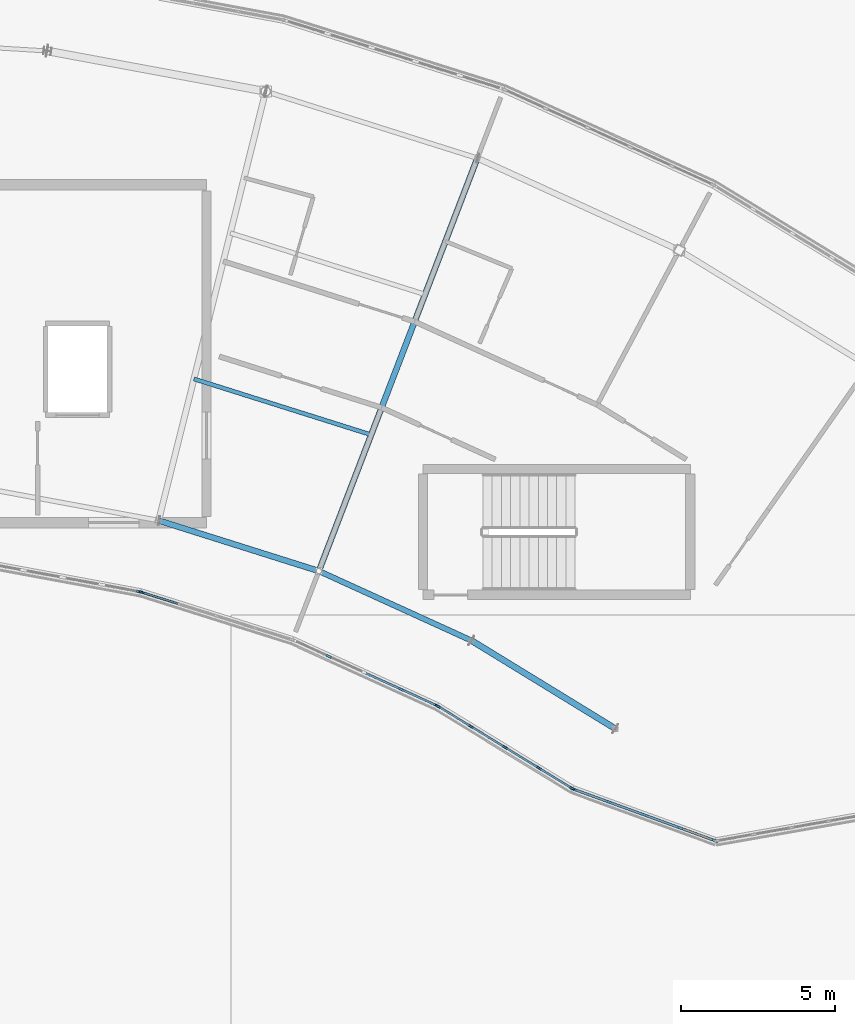
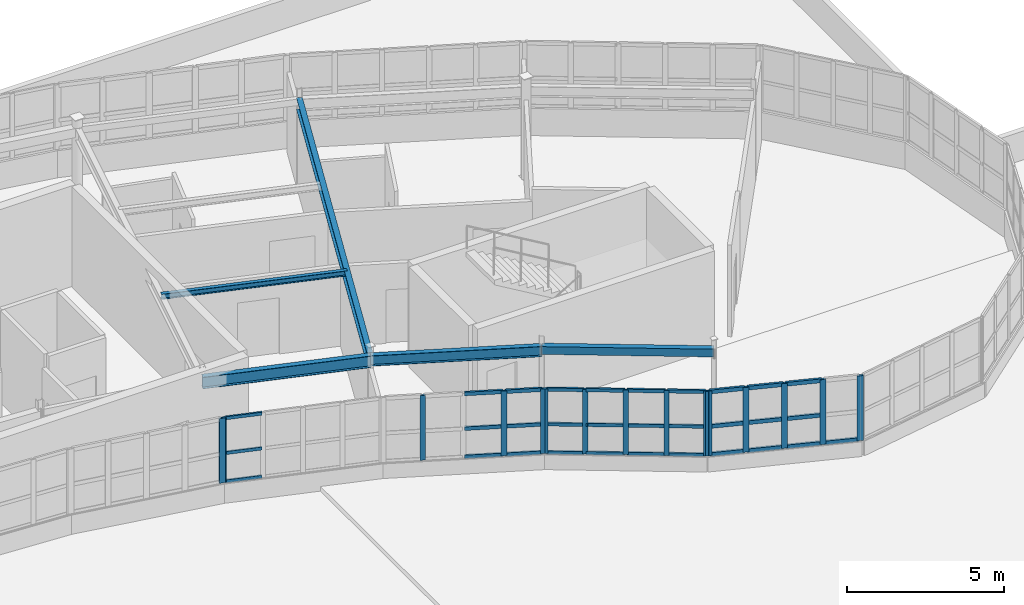
# One storey, part 48 of 128: 46 members, 5 beams, 5 elements without a shape of their own.
"""IFC4 building model written with IfcOpenShell, lengths in metres."""

from ifc_helpers import new_model, si_unit, direction, frame, origin, origin_2d, place, context, subcontext, project, spatial, rectangle, hollow_rectangle, i_section, extrude, material, layer, layer_set, material_profile, profile_set, type_object, element, aggregate, save


model = new_model("IFC4")

# Units and contexts
model_context = context("Model", 3, precision=1e-05, world=origin(), true_north=direction((0.0, 1.0)))
body_context = subcontext(model_context, "Body", "Model", "MODEL_VIEW")
ifc_project = project(units=[si_unit("LENGTHUNIT", "METRE"), si_unit("AREAUNIT", "SQUARE_METRE"), si_unit("VOLUMEUNIT", "CUBIC_METRE"), si_unit("PLANEANGLEUNIT", "RADIAN"), si_unit("MASSUNIT", "GRAM", prefix="KILO")], contexts=[model_context])

# Site, building, storey
site_placement = place(None, origin())
site = spatial("IfcSite", under=ifc_project, at=site_placement, CompositionType="ELEMENT")
building_placement = place(site_placement, origin())
building = spatial("IfcBuilding", under=site, at=building_placement, Name="Tarnwether General Hospital", CompositionType="ELEMENT")
storey_placement = place(building_placement, frame((0.0, 0.0, 14.39990234375)))
storey = spatial("IfcBuildingStorey", under=building, at=storey_placement, Name="L03", CompositionType="ELEMENT", Elevation=14.39990234375)

# Beams
ifc_material_1 = material(Name="Steel Grade 350 (350 MPa)", Category="steel")
ifc_material_profile_1 = material_profile(ifc_material_1, i_section(OverallWidth=0.18994140625, OverallDepth=0.45703125, WebThickness=0.009033203125, FlangeThickness=0.014404296875, at=origin_2d()), Name="460UB74.6")
ifc_profile_set_1 = profile_set([ifc_material_profile_1], Name="Steel Grade 350 (350 MPa)")
beam_type_1 = type_object("IfcBeamType", Name="BM-G09", PredefinedType="BEAM", material=ifc_profile_set_1)
beam_1_placement = place(storey_placement, frame((113.215087890625, 118.26806640625, 3.33154296875), z_axis=(-0.358334838026, -0.933593136145, 0.0), x_axis=(0.933593136145, -0.358334838026, 0.0)))
element("IfcBeam", 1, at=beam_1_placement, inside=storey, type_object=beam_type_1, Name="Curved Ward NW Radial Girder BMG-L03-11322_11827-10806_10482-1922", PredefinedType="BEAM", context=body_context, shape_type="SweptSolid", body=[
    extrude(i_section(OverallWidth=0.18994140625, OverallDepth=0.45703125, WebThickness=0.009033203125, FlangeThickness=0.014404296875, at=origin_2d()), origin(), (0.0, 0.0, 1.0), 14.400390625),
])
ifc_material_2 = material(Name="Steel Grade 350 (350 MPa)", Category="steel")
ifc_material_profile_2 = material_profile(ifc_material_2, i_section(OverallWidth=0.134033203125, OverallDepth=0.20703125, WebThickness=0.00634765625, FlangeThickness=0.009521484375, at=origin_2d()), Name="200UB29.8")
ifc_profile_set_2 = profile_set([ifc_material_profile_2], Name="Steel Grade 350 (350 MPa)")
beam_type_2 = type_object("IfcBeamType", Name="BM-J12", PredefinedType="JOIST", material=ifc_profile_set_2)
beam_2_placement = place(storey_placement, frame((103.988037109375, 111.080078125, 3.45654296875), z_axis=(0.953725879816, -0.300677478654, 0.0), x_axis=(0.300677478654, 0.953725879816, 0.0)))
element("IfcBeam", 2, at=beam_2_placement, inside=storey, type_object=beam_type_2, Name="Curved Ward NW Chord Joist BMG-L03-10399_11108-10976_10926-1944", PredefinedType="JOIST", context=body_context, shape_type="SweptSolid", body=[
    extrude(i_section(OverallWidth=0.134033203125, OverallDepth=0.20703125, WebThickness=0.00634765625, FlangeThickness=0.009521484375, at=origin_2d()), origin(), (0.0, 0.0, 1.0), 6.050048828125),
])
ifc_material_3 = material(Name="Steel Grade 350 (350 MPa)", Category="steel")
ifc_material_profile_3 = material_profile(ifc_material_3, i_section(OverallWidth=0.18994140625, OverallDepth=0.4541015625, WebThickness=0.008544921875, FlangeThickness=0.0126953125, at=origin_2d()), Name="460UB67.1")
ifc_profile_set_3 = profile_set([ifc_material_profile_3], Name="Steel Grade 350 (350 MPa)")
beam_type_3 = type_object("IfcBeamType", Name="BM-SP1", PredefinedType="SPANDREL", material=ifc_profile_set_3)
beam_3_placement = place(storey_placement, frame((102.837890625, 106.468994140625, 3.3330078125), z_axis=(0.953712084488, -0.300721232874, 0.0), x_axis=(0.300721232874, 0.953712084488, 0.0)))
element("IfcBeam", 3, at=beam_3_placement, inside=storey, type_object=beam_type_3, Name="Curved Ward NW Inner Spandrel BMG-L03-10284_10647-10806_10482-1942", PredefinedType="SPANDREL", context=body_context, shape_type="SweptSolid", body=[
    extrude(i_section(OverallWidth=0.18994140625, OverallDepth=0.4541015625, WebThickness=0.008544921875, FlangeThickness=0.0126953125, at=origin_2d()), origin(), (0.0, 0.0, 1.0), 5.47021484375),
])
ifc_material_4 = material(Name="Steel Grade 350 (350 MPa)", Category="steel")
ifc_material_profile_4 = material_profile(ifc_material_4, i_section(OverallWidth=0.177978515625, OverallDepth=0.403076171875, WebThickness=0.007568359375, FlangeThickness=0.010986328125, at=origin_2d()), Name="410UB53.7")
ifc_profile_set_4 = profile_set([ifc_material_profile_4], Name="Steel Grade 350 (350 MPa)")
beam_type_4 = type_object("IfcBeamType", Name="BM-SP2", PredefinedType="SPANDREL", material=ifc_profile_set_4)
beam_4_placement = place(storey_placement, frame((108.054931640625, 104.823974609375, 3.358642578125), z_axis=(0.909968605358, -0.414677148228, 0.0), x_axis=(0.414677148228, 0.909968605358, 0.0)))
element("IfcBeam", 4, at=beam_4_placement, inside=storey, type_object=beam_type_4, Name="Curved Ward NW Inner Spandrel BMG-L03-10806_10482-11303_10256-1946", PredefinedType="SPANDREL", context=body_context, shape_type="SweptSolid", body=[
    extrude(i_section(OverallWidth=0.177978515625, OverallDepth=0.403076171875, WebThickness=0.007568359375, FlangeThickness=0.010986328125, at=origin_2d()), origin(), (0.0, 0.0, 1.0), 5.469482421875),
])
ifc_material_5 = material(Name="Steel Grade C350L0 (350 MPa)", Category="steel")
ifc_material_profile_5 = material_profile(ifc_material_5, hollow_rectangle(XDim=0.199951171875, YDim=0.300048828125, WallThickness=0.012451171875, at=origin_2d()), Name="RHS300x200x12.5")
ifc_profile_set_5 = profile_set([ifc_material_profile_5], Name="Steel Grade C350L0 (350 MPa)")
beam_type_5 = type_object("IfcBeamType", Name="BM-SP3", PredefinedType="SPANDREL", material=ifc_profile_set_5)
beam_5_placement = place(storey_placement, frame((113.031982421875, 102.555908203125, 3.41015625), z_axis=(0.85265897909, -0.522467860617, 0.0), x_axis=(0.522467860617, 0.85265897909, 0.0)))
element("IfcBeam", 5, at=beam_5_placement, inside=storey, type_object=beam_type_5, Name="Curved Ward NW Inner Spandrel BMG-L03-11303_10256-11770_9970-1948", PredefinedType="SPANDREL", context=body_context, shape_type="SweptSolid", body=[
    extrude(hollow_rectangle(XDim=0.199951171875, YDim=0.300048828125, WallThickness=0.012451171875, at=origin_2d()), origin(), (0.0, 0.0, 1.0), 5.469970703125),
])

# Curtain wall, member
ifc_material_6 = material(Name="Anodised aluminium", Category="aluminium")
ifc_layer = layer(ifc_material_6, 0.159912109375)
ifc_layer_set = layer_set([ifc_layer], Name="Anodised aluminium")
curtain_wall_type = type_object("IfcCurtainWallType", Name="CW-03", PredefinedType="NOTDEFINED", material=ifc_layer_set)
curtain_wall_1_placement = place(storey_placement, origin())
curtain_wall_1 = element("IfcCurtainWall", 6, at=curtain_wall_1_placement, inside=storey, type_object=curtain_wall_type, Name="Curtain Wall CWG-L03-1072_1026-0013", PredefinedType="NOTDEFINED")
ifc_material_7 = material(Name="Anodised aluminium", Category="aluminium")
ifc_material_profile_6 = material_profile(ifc_material_7, rectangle(XDim=0.06005859375, YDim=0.159912109375, at=origin_2d()), Name="ALU-MUL-60x160")
ifc_profile_set_6 = profile_set([ifc_material_profile_6], Name="Anodised aluminium")
member_type_1 = type_object("IfcMemberType", Name="CW-ML1", PredefinedType="MULLION", material=ifc_profile_set_6)
member_1_placement = place(storey_placement, frame((102.28564453125, 104.132080078125, 1.050048828125), z_axis=(0.0, 0.0, 1.0), x_axis=(-0.30071538783, -0.953713927508, 0.0)))
member_1 = element("IfcMember", 7, at=member_1_placement, type_object=member_type_1, Name="CW-03 mullion 5", PredefinedType="MULLION", context=body_context, shape_type="SweptSolid", body=[
    extrude(rectangle(XDim=0.06005859375, YDim=0.159912109375, at=origin_2d()), origin(), (0.0, 0.0, 1.0), 2.510009765625),
])

# Curtain wall, members
curtain_wall_2_placement = place(storey_placement, origin())
curtain_wall_2 = element("IfcCurtainWall", 8, at=curtain_wall_2_placement, inside=storey, type_object=curtain_wall_type, Name="Curtain Wall CWG-L03-1119_1004-0014", PredefinedType="NOTDEFINED")
ifc_material_8 = material(Name="Anodised aluminium", Category="aluminium")
ifc_material_profile_7 = material_profile(ifc_material_8, rectangle(XDim=0.070068359375, YDim=0.179931640625, at=origin_2d()), Name="ALU-MUL-70x180")
ifc_profile_set_7 = profile_set([ifc_material_profile_7], Name="Anodised aluminium")
member_type_2 = type_object("IfcMemberType", Name="CW-ML2", PredefinedType="MULLION", material=ifc_profile_set_7)
member_2_placement = place(storey_placement, frame((111.874267578125, 100.451416015625, 1.050048828125), z_axis=(0.0, 0.0, 1.0), x_axis=(-0.41470501572, -0.90995590549, 0.0)))
member_2 = element("IfcMember", 9, at=member_2_placement, type_object=member_type_2, Name="CW-03 mullion 1", PredefinedType="MULLION", context=body_context, shape_type="SweptSolid", body=[
    extrude(rectangle(XDim=0.070068359375, YDim=0.179931640625, at=origin_2d()), origin(), (0.0, 0.0, 1.0), 2.510009765625),
])
member_3_placement = place(storey_placement, frame((110.728271484375, 100.9736328125, 1.050048828125), z_axis=(0.0, 0.0, 1.0), x_axis=(-0.41470501572, -0.90995590549, 0.0)))
member_3 = element("IfcMember", 10, at=member_3_placement, type_object=member_type_2, Name="CW-03 mullion 2", PredefinedType="MULLION", context=body_context, shape_type="SweptSolid", body=[
    extrude(rectangle(XDim=0.070068359375, YDim=0.179931640625, at=origin_2d()), origin(), (0.0, 0.0, 1.0), 2.510009765625),
])
member_4_placement = place(storey_placement, frame((108.372802734375, 102.04736328125, 1.050048828125), z_axis=(0.0, 0.0, 1.0), x_axis=(-0.41470501572, -0.90995590549, 0.0)))
member_4 = element("IfcMember", 11, at=member_4_placement, type_object=member_type_2, Name="CW-03 mullion 4", PredefinedType="MULLION", context=body_context, shape_type="SweptSolid", body=[
    extrude(rectangle(XDim=0.070068359375, YDim=0.179931640625, at=origin_2d()), origin(), (0.0, 0.0, 1.0), 2.510009765625),
])

curtain_wall_3_placement = place(storey_placement, origin())
curtain_wall_3 = element("IfcCurtainWall", 12, at=curtain_wall_3_placement, inside=storey, type_object=curtain_wall_type, Name="Curtain Wall CWG-L03-1163_977-0015", PredefinedType="NOTDEFINED")
ifc_material_9 = material(Name="Anodised aluminium", Category="aluminium")
ifc_material_profile_8 = material_profile(ifc_material_9, rectangle(XDim=0.06494140625, YDim=0.169921875, at=origin_2d()), Name="ALU-MUL-65x170")
ifc_profile_set_8 = profile_set([ifc_material_profile_8], Name="Anodised aluminium")
member_type_3 = type_object("IfcMemberType", Name="CW-ML3", PredefinedType="MULLION", material=ifc_profile_set_8)
member_5_placement = place(storey_placement, frame((116.292236328125, 97.7490234375, 1.050048828125), z_axis=(0.0, 0.0, 1.0), x_axis=(-0.522512231483, -0.852631789198, 0.0)))
member_5 = element("IfcMember", 13, at=member_5_placement, type_object=member_type_3, Name="CW-03 mullion 1", PredefinedType="MULLION", context=body_context, shape_type="SweptSolid", body=[
    extrude(rectangle(XDim=0.06494140625, YDim=0.169921875, at=origin_2d()), origin(), (0.0, 0.0, 1.0), 2.510009765625),
])
member_6_placement = place(storey_placement, frame((115.216552734375, 98.408203125, 1.050048828125), z_axis=(0.0, 0.0, 1.0), x_axis=(-0.522512231483, -0.852631789198, 0.0)))
member_6 = element("IfcMember", 14, at=member_6_placement, type_object=member_type_3, Name="CW-03 mullion 2", PredefinedType="MULLION", context=body_context, shape_type="SweptSolid", body=[
    extrude(rectangle(XDim=0.06494140625, YDim=0.169921875, at=origin_2d()), origin(), (0.0, 0.0, 1.0), 2.510009765625),
])
member_7_placement = place(storey_placement, frame((114.113037109375, 99.08447265625, 1.050048828125), z_axis=(0.0, 0.0, 1.0), x_axis=(-0.522512231483, -0.852631789198, 0.0)))
member_7 = element("IfcMember", 15, at=member_7_placement, type_object=member_type_3, Name="CW-03 mullion 3", PredefinedType="MULLION", context=body_context, shape_type="SweptSolid", body=[
    extrude(rectangle(XDim=0.06494140625, YDim=0.169921875, at=origin_2d()), origin(), (0.0, 0.0, 1.0), 2.510009765625),
])
member_8_placement = place(storey_placement, frame((113.009521484375, 99.7607421875, 1.050048828125), z_axis=(0.0, 0.0, 1.0), x_axis=(-0.522512231483, -0.852631789198, 0.0)))
member_8 = element("IfcMember", 16, at=member_8_placement, type_object=member_type_3, Name="CW-03 mullion 4", PredefinedType="MULLION", context=body_context, shape_type="SweptSolid", body=[
    extrude(rectangle(XDim=0.06494140625, YDim=0.169921875, at=origin_2d()), origin(), (0.0, 0.0, 1.0), 2.510009765625),
])
member_9_placement = place(storey_placement, frame((111.93359375, 100.419921875, 1.050048828125), z_axis=(0.0, 0.0, 1.0), x_axis=(-0.522512231483, -0.852631789198, 0.0)))
member_9 = element("IfcMember", 17, at=member_9_placement, type_object=member_type_3, Name="CW-03 mullion 5", PredefinedType="MULLION", context=body_context, shape_type="SweptSolid", body=[
    extrude(rectangle(XDim=0.06494140625, YDim=0.169921875, at=origin_2d()), origin(), (0.0, 0.0, 1.0), 2.510009765625),
])

# Curtain wall, member
curtain_wall_4_placement = place(storey_placement, origin())
curtain_wall_4 = element("IfcCurtainWall", 18, at=curtain_wall_4_placement, inside=storey, type_object=curtain_wall_type, Name="Curtain Wall CWG-L03-1023_1041-0012", PredefinedType="NOTDEFINED")
ifc_material_10 = material(Name="Anodised aluminium", Category="aluminium")
ifc_material_profile_9 = material_profile(ifc_material_10, rectangle(XDim=0.080078125, YDim=0.199951171875, at=origin_2d()), Name="ALU-MUL-80x200")
ifc_profile_set_9 = profile_set([ifc_material_profile_9], Name="Anodised aluminium")
member_type_4 = type_object("IfcMemberType", Name="CW-ML4", PredefinedType="MULLION", material=ifc_profile_set_9)
member_10_placement = place(storey_placement, frame((102.2177734375, 104.148193359375, 1.050048828125), z_axis=(0.0, 0.0, 1.0), x_axis=(-0.182165351666, -0.983267910924, 0.0)))
member_10 = element("IfcMember", 19, at=member_10_placement, type_object=member_type_4, Name="CW-03 mullion 1", PredefinedType="MULLION", context=body_context, shape_type="SweptSolid", body=[
    extrude(rectangle(XDim=0.080078125, YDim=0.199951171875, at=origin_2d()), origin(), (0.0, 0.0, 1.0), 2.510009765625),
])
aggregate(curtain_wall_4, [member_10])

# Curtain wall, members
curtain_wall_5_placement = place(storey_placement, origin())
curtain_wall_5 = element("IfcCurtainWall", 20, at=curtain_wall_5_placement, inside=storey, type_object=curtain_wall_type, Name="Curtain Wall CWG-L03-1210_960-0016", PredefinedType="NOTDEFINED")
member_11_placement = place(storey_placement, frame((120.951416015625, 96.045654296875, 1.050048828125), z_axis=(0.0, 0.0, 1.0), x_axis=(-0.342130850834, -0.939652319163, 0.0)))
member_11 = element("IfcMember", 21, at=member_11_placement, type_object=member_type_4, Name="CW-03 mullion 1", PredefinedType="MULLION", context=body_context, shape_type="SweptSolid", body=[
    extrude(rectangle(XDim=0.080078125, YDim=0.199951171875, at=origin_2d()), origin(), (0.0, 0.0, 1.0), 2.510009765625),
])
member_12_placement = place(storey_placement, frame((119.82177734375, 96.45703125, 1.050048828125), z_axis=(0.0, 0.0, 1.0), x_axis=(-0.342130850834, -0.939652319163, 0.0)))
member_12 = element("IfcMember", 22, at=member_12_placement, type_object=member_type_4, Name="CW-03 mullion 2", PredefinedType="MULLION", context=body_context, shape_type="SweptSolid", body=[
    extrude(rectangle(XDim=0.080078125, YDim=0.199951171875, at=origin_2d()), origin(), (0.0, 0.0, 1.0), 2.510009765625),
])
member_13_placement = place(storey_placement, frame((118.654541015625, 96.882080078125, 1.050048828125), z_axis=(0.0, 0.0, 1.0), x_axis=(-0.342130850834, -0.939652319163, 0.0)))
member_13 = element("IfcMember", 23, at=member_13_placement, type_object=member_type_4, Name="CW-03 mullion 3", PredefinedType="MULLION", context=body_context, shape_type="SweptSolid", body=[
    extrude(rectangle(XDim=0.080078125, YDim=0.199951171875, at=origin_2d()), origin(), (0.0, 0.0, 1.0), 2.510009765625),
])
member_14_placement = place(storey_placement, frame((117.4873046875, 97.306884765625, 1.050048828125), z_axis=(0.0, 0.0, 1.0), x_axis=(-0.342130850834, -0.939652319163, 0.0)))
member_14 = element("IfcMember", 24, at=member_14_placement, type_object=member_type_4, Name="CW-03 mullion 4", PredefinedType="MULLION", context=body_context, shape_type="SweptSolid", body=[
    extrude(rectangle(XDim=0.080078125, YDim=0.199951171875, at=origin_2d()), origin(), (0.0, 0.0, 1.0), 2.510009765625),
])
member_15_placement = place(storey_placement, frame((116.357666015625, 97.71826171875, 1.050048828125), z_axis=(0.0, 0.0, 1.0), x_axis=(-0.342130850834, -0.939652319163, 0.0)))
member_15 = element("IfcMember", 25, at=member_15_placement, type_object=member_type_4, Name="CW-03 mullion 5", PredefinedType="MULLION", context=body_context, shape_type="SweptSolid", body=[
    extrude(rectangle(XDim=0.080078125, YDim=0.199951171875, at=origin_2d()), origin(), (0.0, 0.0, 1.0), 2.510009765625),
])

# Member
ifc_material_11 = material(Name="Anodised aluminium", Category="aluminium")
ifc_material_profile_10 = material_profile(ifc_material_11, rectangle(XDim=0.06005859375, YDim=0.1201171875, at=origin_2d()), Name="ALU-TRN-60x120")
ifc_profile_set_10 = profile_set([ifc_material_profile_10], Name="Anodised aluminium")
member_type_5 = type_object("IfcMemberType", Name="CW-TR1", PredefinedType="USERDEFINED", material=ifc_profile_set_10)
member_16_placement = place(storey_placement, frame((103.462890625, 103.7607421875, 1.080078125), z_axis=(-0.953686764452, 0.300801521455, 0.0), x_axis=(-0.300801521455, -0.953686764452, 0.0)))
member_16 = element("IfcMember", 26, at=member_16_placement, type_object=member_type_5, Name="CW-03 transom 4.1", ObjectType="TRANSOM", PredefinedType="USERDEFINED", context=body_context, shape_type="SweptSolid", body=[
    extrude(rectangle(XDim=0.06005859375, YDim=0.1201171875, at=origin_2d()), origin(), (0.0, 0.0, 1.0), 1.204345703125),
])

member_17_placement = place(storey_placement, frame((103.462890625, 103.7607421875, 2.1796875), z_axis=(-0.953686764452, 0.300801521455, 0.0), x_axis=(-0.300801521455, -0.953686764452, 0.0)))
member_17 = element("IfcMember", 27, at=member_17_placement, type_object=member_type_5, Name="CW-03 transom 4.2", ObjectType="TRANSOM", PredefinedType="USERDEFINED", context=body_context, shape_type="SweptSolid", body=[
    extrude(rectangle(XDim=0.06005859375, YDim=0.1201171875, at=origin_2d()), origin(), (0.0, 0.0, 1.0), 1.204345703125),
])

member_18_placement = place(storey_placement, frame((103.462890625, 103.7607421875, 3.530029296875), z_axis=(-0.953686764452, 0.300801521455, 0.0), x_axis=(-0.300801521455, -0.953686764452, 0.0)))
member_18 = element("IfcMember", 28, at=member_18_placement, type_object=member_type_5, Name="CW-03 transom 4.3", ObjectType="TRANSOM", PredefinedType="USERDEFINED", context=body_context, shape_type="SweptSolid", body=[
    extrude(rectangle(XDim=0.06005859375, YDim=0.1201171875, at=origin_2d()), origin(), (0.0, 0.0, 1.0), 1.204345703125),
])

aggregate(curtain_wall_1, [member_1, member_16, member_17, member_18])

ifc_material_12 = material(Name="Anodised aluminium", Category="aluminium")
ifc_material_profile_11 = material_profile(ifc_material_12, rectangle(XDim=0.070068359375, YDim=0.139892578125, at=origin_2d()), Name="ALU-TRN-70x140")
ifc_profile_set_11 = profile_set([ifc_material_profile_11], Name="Anodised aluminium")
member_type_6 = type_object("IfcMemberType", Name="CW-TR2", PredefinedType="USERDEFINED", material=ifc_profile_set_11)
member_19_placement = place(storey_placement, frame((111.84228515625, 100.466064453125, 1.085205078125), z_axis=(-0.909979433919, 0.414653385183, 0.0), x_axis=(-0.414653385183, -0.909979433919, 0.0)))
member_19 = element("IfcMember", 29, at=member_19_placement, type_object=member_type_6, Name="CW-03 transom 1.1", ObjectType="TRANSOM", PredefinedType="USERDEFINED", context=body_context, shape_type="SweptSolid", body=[
    extrude(rectangle(XDim=0.070068359375, YDim=0.139892578125, at=origin_2d()), origin(), (0.0, 0.0, 1.0), 1.189453125),
])

member_20_placement = place(storey_placement, frame((111.84228515625, 100.466064453125, 2.1796875), z_axis=(-0.909979433919, 0.414653385183, 0.0), x_axis=(-0.414653385183, -0.909979433919, 0.0)))
member_20 = element("IfcMember", 30, at=member_20_placement, type_object=member_type_6, Name="CW-03 transom 1.2", ObjectType="TRANSOM", PredefinedType="USERDEFINED", context=body_context, shape_type="SweptSolid", body=[
    extrude(rectangle(XDim=0.070068359375, YDim=0.139892578125, at=origin_2d()), origin(), (0.0, 0.0, 1.0), 1.189453125),
])

member_21_placement = place(storey_placement, frame((111.84228515625, 100.466064453125, 3.525146484375), z_axis=(-0.909979433919, 0.414653385183, 0.0), x_axis=(-0.414653385183, -0.909979433919, 0.0)))
member_21 = element("IfcMember", 31, at=member_21_placement, type_object=member_type_6, Name="CW-03 transom 1.3", ObjectType="TRANSOM", PredefinedType="USERDEFINED", context=body_context, shape_type="SweptSolid", body=[
    extrude(rectangle(XDim=0.070068359375, YDim=0.139892578125, at=origin_2d()), origin(), (0.0, 0.0, 1.0), 1.189453125),
])

member_22_placement = place(storey_placement, frame((110.6962890625, 100.98828125, 1.085205078125), z_axis=(-0.909922054597, 0.414779284147, 0.0), x_axis=(-0.414779284147, -0.909922054597, 0.0)))
member_22 = element("IfcMember", 32, at=member_22_placement, type_object=member_type_6, Name="CW-03 transom 2.1", ObjectType="TRANSOM", PredefinedType="USERDEFINED", context=body_context, shape_type="SweptSolid", body=[
    extrude(rectangle(XDim=0.070068359375, YDim=0.139892578125, at=origin_2d()), origin(), (0.0, 0.0, 1.0), 1.224365234375),
])

member_23_placement = place(storey_placement, frame((110.6962890625, 100.98828125, 2.1796875), z_axis=(-0.909922054597, 0.414779284147, 0.0), x_axis=(-0.414779284147, -0.909922054597, 0.0)))
member_23 = element("IfcMember", 33, at=member_23_placement, type_object=member_type_6, Name="CW-03 transom 2.2", ObjectType="TRANSOM", PredefinedType="USERDEFINED", context=body_context, shape_type="SweptSolid", body=[
    extrude(rectangle(XDim=0.070068359375, YDim=0.139892578125, at=origin_2d()), origin(), (0.0, 0.0, 1.0), 1.224365234375),
])

member_24_placement = place(storey_placement, frame((110.6962890625, 100.98828125, 3.525146484375), z_axis=(-0.909922054597, 0.414779284147, 0.0), x_axis=(-0.414779284147, -0.909922054597, 0.0)))
member_24 = element("IfcMember", 34, at=member_24_placement, type_object=member_type_6, Name="CW-03 transom 2.3", ObjectType="TRANSOM", PredefinedType="USERDEFINED", context=body_context, shape_type="SweptSolid", body=[
    extrude(rectangle(XDim=0.070068359375, YDim=0.139892578125, at=origin_2d()), origin(), (0.0, 0.0, 1.0), 1.224365234375),
])

aggregate(curtain_wall_2, [member_2, member_3, member_4, member_19, member_20, member_21, member_22, member_23, member_24])

ifc_material_13 = material(Name="Anodised aluminium", Category="aluminium")
ifc_material_profile_12 = material_profile(ifc_material_13, rectangle(XDim=0.06494140625, YDim=0.1298828125, at=origin_2d()), Name="ALU-TRN-65x130")
ifc_profile_set_12 = profile_set([ifc_material_profile_12], Name="Anodised aluminium")
member_type_7 = type_object("IfcMemberType", Name="CW-TR3", PredefinedType="USERDEFINED", material=ifc_profile_set_12)
member_25_placement = place(storey_placement, frame((116.2646484375, 97.765869140625, 1.08251953125), z_axis=(-0.852595389372, 0.522571623821, 0.0), x_axis=(-0.522571623821, -0.852595389372, 0.0)))
member_25 = element("IfcMember", 35, at=member_25_placement, type_object=member_type_7, Name="CW-03 transom 1.1", ObjectType="TRANSOM", PredefinedType="USERDEFINED", context=body_context, shape_type="SweptSolid", body=[
    extrude(rectangle(XDim=0.06494140625, YDim=0.1298828125, at=origin_2d()), origin(), (0.0, 0.0, 1.0), 1.197021484375),
])

member_26_placement = place(storey_placement, frame((116.2646484375, 97.765869140625, 2.1796875), z_axis=(-0.852595389372, 0.522571623821, 0.0), x_axis=(-0.522571623821, -0.852595389372, 0.0)))
member_26 = element("IfcMember", 36, at=member_26_placement, type_object=member_type_7, Name="CW-03 transom 1.2", ObjectType="TRANSOM", PredefinedType="USERDEFINED", context=body_context, shape_type="SweptSolid", body=[
    extrude(rectangle(XDim=0.06494140625, YDim=0.1298828125, at=origin_2d()), origin(), (0.0, 0.0, 1.0), 1.197021484375),
])

member_27_placement = place(storey_placement, frame((116.2646484375, 97.765869140625, 3.527587890625), z_axis=(-0.852595389372, 0.522571623821, 0.0), x_axis=(-0.522571623821, -0.852595389372, 0.0)))
member_27 = element("IfcMember", 37, at=member_27_placement, type_object=member_type_7, Name="CW-03 transom 1.3", ObjectType="TRANSOM", PredefinedType="USERDEFINED", context=body_context, shape_type="SweptSolid", body=[
    extrude(rectangle(XDim=0.06494140625, YDim=0.1298828125, at=origin_2d()), origin(), (0.0, 0.0, 1.0), 1.197021484375),
])

member_28_placement = place(storey_placement, frame((115.188720703125, 98.42529296875, 1.08251953125), z_axis=(-0.852618378397, 0.522534114503, 0.0), x_axis=(-0.522534114503, -0.852618378397, 0.0)))
member_28 = element("IfcMember", 38, at=member_28_placement, type_object=member_type_7, Name="CW-03 transom 2.1", ObjectType="TRANSOM", PredefinedType="USERDEFINED", context=body_context, shape_type="SweptSolid", body=[
    extrude(rectangle(XDim=0.06494140625, YDim=0.1298828125, at=origin_2d()), origin(), (0.0, 0.0, 1.0), 1.229248046875),
])

member_29_placement = place(storey_placement, frame((115.188720703125, 98.42529296875, 2.1796875), z_axis=(-0.852618378397, 0.522534114503, 0.0), x_axis=(-0.522534114503, -0.852618378397, 0.0)))
member_29 = element("IfcMember", 39, at=member_29_placement, type_object=member_type_7, Name="CW-03 transom 2.2", ObjectType="TRANSOM", PredefinedType="USERDEFINED", context=body_context, shape_type="SweptSolid", body=[
    extrude(rectangle(XDim=0.06494140625, YDim=0.1298828125, at=origin_2d()), origin(), (0.0, 0.0, 1.0), 1.229248046875),
])

member_30_placement = place(storey_placement, frame((115.188720703125, 98.42529296875, 3.527587890625), z_axis=(-0.852618378397, 0.522534114503, 0.0), x_axis=(-0.522534114503, -0.852618378397, 0.0)))
member_30 = element("IfcMember", 40, at=member_30_placement, type_object=member_type_7, Name="CW-03 transom 2.3", ObjectType="TRANSOM", PredefinedType="USERDEFINED", context=body_context, shape_type="SweptSolid", body=[
    extrude(rectangle(XDim=0.06494140625, YDim=0.1298828125, at=origin_2d()), origin(), (0.0, 0.0, 1.0), 1.229248046875),
])

member_31_placement = place(storey_placement, frame((114.085205078125, 99.1015625, 1.08251953125), z_axis=(-0.852706859025, 0.522389713309, 0.0), x_axis=(-0.522389713309, -0.852706859025, 0.0)))
member_31 = element("IfcMember", 41, at=member_31_placement, type_object=member_type_7, Name="CW-03 transom 3.1", ObjectType="TRANSOM", PredefinedType="USERDEFINED", context=body_context, shape_type="SweptSolid", body=[
    extrude(rectangle(XDim=0.06494140625, YDim=0.1298828125, at=origin_2d()), origin(), (0.0, 0.0, 1.0), 1.229248046875),
])

member_32_placement = place(storey_placement, frame((114.085205078125, 99.1015625, 2.1796875), z_axis=(-0.852706859025, 0.522389713309, 0.0), x_axis=(-0.522389713309, -0.852706859025, 0.0)))
member_32 = element("IfcMember", 42, at=member_32_placement, type_object=member_type_7, Name="CW-03 transom 3.2", ObjectType="TRANSOM", PredefinedType="USERDEFINED", context=body_context, shape_type="SweptSolid", body=[
    extrude(rectangle(XDim=0.06494140625, YDim=0.1298828125, at=origin_2d()), origin(), (0.0, 0.0, 1.0), 1.229248046875),
])

member_33_placement = place(storey_placement, frame((114.085205078125, 99.1015625, 3.527587890625), z_axis=(-0.852706859025, 0.522389713309, 0.0), x_axis=(-0.522389713309, -0.852706859025, 0.0)))
member_33 = element("IfcMember", 43, at=member_33_placement, type_object=member_type_7, Name="CW-03 transom 3.3", ObjectType="TRANSOM", PredefinedType="USERDEFINED", context=body_context, shape_type="SweptSolid", body=[
    extrude(rectangle(XDim=0.06494140625, YDim=0.1298828125, at=origin_2d()), origin(), (0.0, 0.0, 1.0), 1.229248046875),
])

member_34_placement = place(storey_placement, frame((112.981689453125, 99.77783203125, 1.08251953125), z_axis=(-0.852630574222, 0.522514214066, 0.0), x_axis=(-0.522514214066, -0.852630574222, 0.0)))
member_34 = element("IfcMember", 44, at=member_34_placement, type_object=member_type_7, Name="CW-03 transom 4.1", ObjectType="TRANSOM", PredefinedType="USERDEFINED", context=body_context, shape_type="SweptSolid", body=[
    extrude(rectangle(XDim=0.06494140625, YDim=0.1298828125, at=origin_2d()), origin(), (0.0, 0.0, 1.0), 1.196533203125),
])

member_35_placement = place(storey_placement, frame((112.981689453125, 99.77783203125, 2.1796875), z_axis=(-0.852630574222, 0.522514214066, 0.0), x_axis=(-0.522514214066, -0.852630574222, 0.0)))
member_35 = element("IfcMember", 45, at=member_35_placement, type_object=member_type_7, Name="CW-03 transom 4.2", ObjectType="TRANSOM", PredefinedType="USERDEFINED", context=body_context, shape_type="SweptSolid", body=[
    extrude(rectangle(XDim=0.06494140625, YDim=0.1298828125, at=origin_2d()), origin(), (0.0, 0.0, 1.0), 1.196533203125),
])

member_36_placement = place(storey_placement, frame((112.981689453125, 99.77783203125, 3.527587890625), z_axis=(-0.852630574222, 0.522514214066, 0.0), x_axis=(-0.522514214066, -0.852630574222, 0.0)))
member_36 = element("IfcMember", 46, at=member_36_placement, type_object=member_type_7, Name="CW-03 transom 4.3", ObjectType="TRANSOM", PredefinedType="USERDEFINED", context=body_context, shape_type="SweptSolid", body=[
    extrude(rectangle(XDim=0.06494140625, YDim=0.1298828125, at=origin_2d()), origin(), (0.0, 0.0, 1.0), 1.196533203125),
])

aggregate(curtain_wall_3, [member_5, member_6, member_7, member_8, member_9, member_25, member_26, member_27, member_28, member_29, member_30, member_31, member_32, member_33, member_34, member_35, member_36])

ifc_material_14 = material(Name="Anodised aluminium", Category="aluminium")
ifc_material_profile_13 = material_profile(ifc_material_14, rectangle(XDim=0.080078125, YDim=0.14990234375, at=origin_2d()), Name="ALU-TRN-80x150")
ifc_profile_set_13 = profile_set([ifc_material_profile_13], Name="Anodised aluminium")
member_type_8 = type_object("IfcMemberType", Name="CW-TR4", PredefinedType="USERDEFINED", material=ifc_profile_set_13)
member_37_placement = place(storey_placement, frame((120.913818359375, 96.059326171875, 1.090087890625), z_axis=(-0.939621801611, 0.342214654766, 0.0), x_axis=(-0.342214654766, -0.939621801611, 0.0)))
member_37 = element("IfcMember", 47, at=member_37_placement, type_object=member_type_8, Name="CW-03 transom 1.1", ObjectType="TRANSOM", PredefinedType="USERDEFINED", context=body_context, shape_type="SweptSolid", body=[
    extrude(rectangle(XDim=0.080078125, YDim=0.14990234375, at=origin_2d()), origin(), (0.0, 0.0, 1.0), 1.122314453125),
])

member_38_placement = place(storey_placement, frame((119.7841796875, 96.470703125, 1.090087890625), z_axis=(-0.939627713237, 0.342198422728, 0.0), x_axis=(-0.342198422728, -0.939627713237, 0.0)))
member_38 = element("IfcMember", 48, at=member_38_placement, type_object=member_type_8, Name="CW-03 transom 2.1", ObjectType="TRANSOM", PredefinedType="USERDEFINED", context=body_context, shape_type="SweptSolid", body=[
    extrude(rectangle(XDim=0.080078125, YDim=0.14990234375, at=origin_2d()), origin(), (0.0, 0.0, 1.0), 1.162109375),
])

member_39_placement = place(storey_placement, frame((119.7841796875, 96.470703125, 2.1796875), z_axis=(-0.939627713237, 0.342198422728, 0.0), x_axis=(-0.342198422728, -0.939627713237, 0.0)))
member_39 = element("IfcMember", 49, at=member_39_placement, type_object=member_type_8, Name="CW-03 transom 2.2", ObjectType="TRANSOM", PredefinedType="USERDEFINED", context=body_context, shape_type="SweptSolid", body=[
    extrude(rectangle(XDim=0.080078125, YDim=0.14990234375, at=origin_2d()), origin(), (0.0, 0.0, 1.0), 1.162109375),
])

member_40_placement = place(storey_placement, frame((119.7841796875, 96.470703125, 3.52001953125), z_axis=(-0.939627713237, 0.342198422728, 0.0), x_axis=(-0.342198422728, -0.939627713237, 0.0)))
member_40 = element("IfcMember", 50, at=member_40_placement, type_object=member_type_8, Name="CW-03 transom 2.3", ObjectType="TRANSOM", PredefinedType="USERDEFINED", context=body_context, shape_type="SweptSolid", body=[
    extrude(rectangle(XDim=0.080078125, YDim=0.14990234375, at=origin_2d()), origin(), (0.0, 0.0, 1.0), 1.162109375),
])

member_41_placement = place(storey_placement, frame((118.616943359375, 96.895751953125, 1.090087890625), z_axis=(-0.939695244401, 0.342012934917, 0.0), x_axis=(-0.342012934917, -0.939695244401, 0.0)))
member_41 = element("IfcMember", 51, at=member_41_placement, type_object=member_type_8, Name="CW-03 transom 3.1", ObjectType="TRANSOM", PredefinedType="USERDEFINED", context=body_context, shape_type="SweptSolid", body=[
    extrude(rectangle(XDim=0.080078125, YDim=0.14990234375, at=origin_2d()), origin(), (0.0, 0.0, 1.0), 1.162109375),
])

member_42_placement = place(storey_placement, frame((118.616943359375, 96.895751953125, 2.1796875), z_axis=(-0.939695244401, 0.342012934917, 0.0), x_axis=(-0.342012934917, -0.939695244401, 0.0)))
member_42 = element("IfcMember", 52, at=member_42_placement, type_object=member_type_8, Name="CW-03 transom 3.2", ObjectType="TRANSOM", PredefinedType="USERDEFINED", context=body_context, shape_type="SweptSolid", body=[
    extrude(rectangle(XDim=0.080078125, YDim=0.14990234375, at=origin_2d()), origin(), (0.0, 0.0, 1.0), 1.162109375),
])

member_43_placement = place(storey_placement, frame((118.616943359375, 96.895751953125, 3.52001953125), z_axis=(-0.939695244401, 0.342012934917, 0.0), x_axis=(-0.342012934917, -0.939695244401, 0.0)))
member_43 = element("IfcMember", 53, at=member_43_placement, type_object=member_type_8, Name="CW-03 transom 3.3", ObjectType="TRANSOM", PredefinedType="USERDEFINED", context=body_context, shape_type="SweptSolid", body=[
    extrude(rectangle(XDim=0.080078125, YDim=0.14990234375, at=origin_2d()), origin(), (0.0, 0.0, 1.0), 1.162109375),
])

member_44_placement = place(storey_placement, frame((117.44970703125, 97.32080078125, 1.090087890625), z_axis=(-0.939691742636, 0.342022556014, 0.0), x_axis=(-0.342022556014, -0.939691742636, 0.0)))
member_44 = element("IfcMember", 54, at=member_44_placement, type_object=member_type_8, Name="CW-03 transom 4.1", ObjectType="TRANSOM", PredefinedType="USERDEFINED", context=body_context, shape_type="SweptSolid", body=[
    extrude(rectangle(XDim=0.080078125, YDim=0.14990234375, at=origin_2d()), origin(), (0.0, 0.0, 1.0), 1.1220703125),
])

member_45_placement = place(storey_placement, frame((117.44970703125, 97.32080078125, 2.1796875), z_axis=(-0.939691742636, 0.342022556014, 0.0), x_axis=(-0.342022556014, -0.939691742636, 0.0)))
member_45 = element("IfcMember", 55, at=member_45_placement, type_object=member_type_8, Name="CW-03 transom 4.2", ObjectType="TRANSOM", PredefinedType="USERDEFINED", context=body_context, shape_type="SweptSolid", body=[
    extrude(rectangle(XDim=0.080078125, YDim=0.14990234375, at=origin_2d()), origin(), (0.0, 0.0, 1.0), 1.1220703125),
])

member_46_placement = place(storey_placement, frame((117.44970703125, 97.32080078125, 3.52001953125), z_axis=(-0.939691742636, 0.342022556014, 0.0), x_axis=(-0.342022556014, -0.939691742636, 0.0)))
member_46 = element("IfcMember", 56, at=member_46_placement, type_object=member_type_8, Name="CW-03 transom 4.3", ObjectType="TRANSOM", PredefinedType="USERDEFINED", context=body_context, shape_type="SweptSolid", body=[
    extrude(rectangle(XDim=0.080078125, YDim=0.14990234375, at=origin_2d()), origin(), (0.0, 0.0, 1.0), 1.1220703125),
])

aggregate(curtain_wall_5, [member_11, member_12, member_13, member_14, member_15, member_37, member_38, member_39, member_40, member_41, member_42, member_43, member_44, member_45, member_46])

save(model, "model.ifc")
